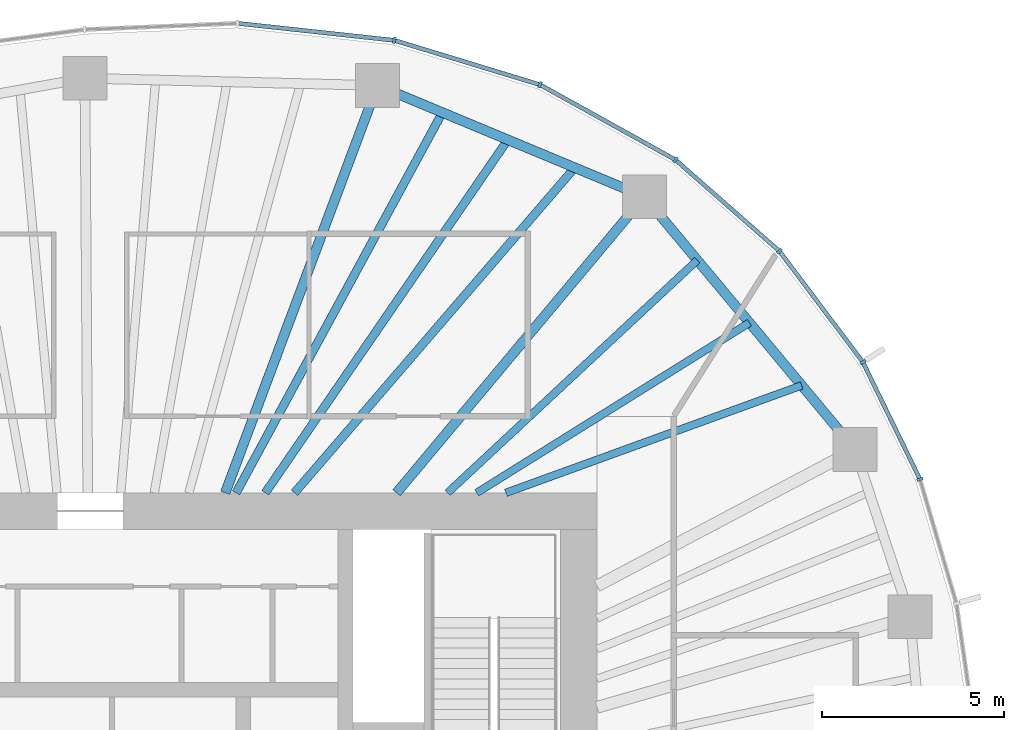
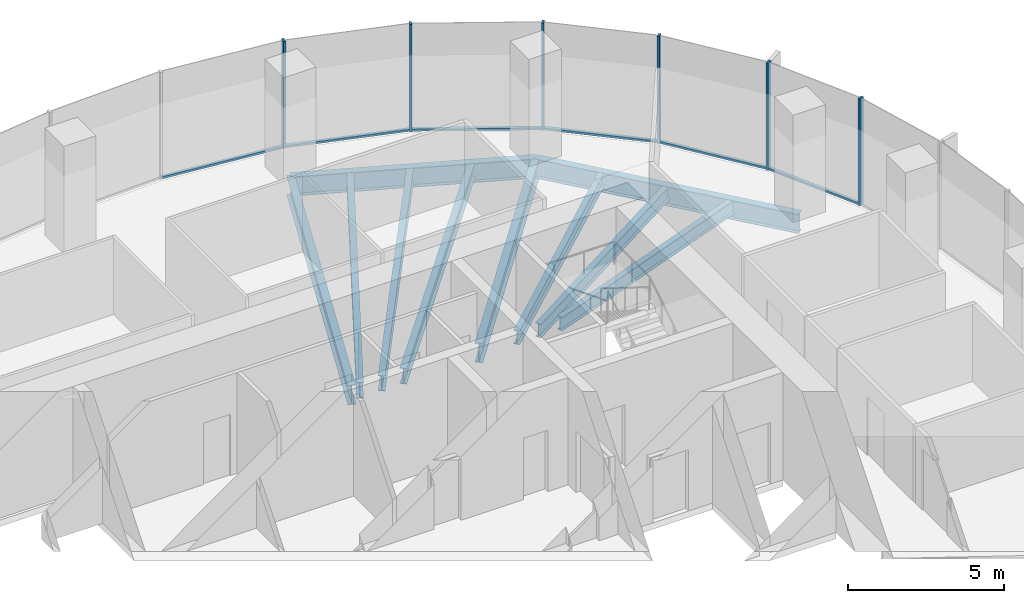
# One storey, part 6 of 11: 12 members, 10 beams, 4 elements without a shape of their own.
"""IFC4 building model written with IfcOpenShell, lengths in metres."""

from ifc_helpers import new_model, si_unit, direction, frame, origin, origin_2d, place, context, subcontext, project, spatial, rectangle, i_section, extrude, material, material_profile, profile_set, type_object, element, aggregate, save


model = new_model("IFC4")

# Units and contexts
model_context = context("Model", 3, precision=1e-05, world=origin(), true_north=direction((0.0, 1.0)))
body_context = subcontext(model_context, "Body", "Model", "MODEL_VIEW")
ifc_project = project(units=[si_unit("LENGTHUNIT", "METRE"), si_unit("AREAUNIT", "SQUARE_METRE"), si_unit("VOLUMEUNIT", "CUBIC_METRE"), si_unit("PLANEANGLEUNIT", "RADIAN"), si_unit("MASSUNIT", "GRAM", prefix="KILO")], contexts=[model_context])

# Site, building, storey
site_placement = place(None, origin())
site = spatial("IfcSite", under=ifc_project, at=site_placement, CompositionType="ELEMENT")
building_placement = place(site_placement, origin())
building = spatial("IfcBuilding", under=site, at=building_placement, Name="Ghaith Harvest Tower", CompositionType="ELEMENT")
storey_placement = place(building_placement, frame((0.0, 0.0, 275.39990234375)))
storey = spatial("IfcBuildingStorey", under=building, at=storey_placement, Name="L61", CompositionType="ELEMENT", Elevation=275.39990234375)

# Curtain wall, member
ifc_material_1 = material(Name="Black anodised aluminium and fritted glass", Category="aluminium")
curtain_wall_type = type_object("IfcCurtainWallType", Name="CW-T CURTAIN WALL", PredefinedType="NOTDEFINED", material=ifc_material_1)
curtain_wall_1_placement = place(storey_placement, origin())
curtain_wall_1 = element("IfcCurtainWall", 1, at=curtain_wall_1_placement, inside=storey, type_object=curtain_wall_type, Name="Curtain wall CW-T bay 02 L61", PredefinedType="NOTDEFINED")
ifc_material_2 = material(Name="Aluminium, black anodised", Category="aluminium")
ifc_material_profile_1 = material_profile(ifc_material_2, rectangle(XDim=0.080078125, YDim=0.179931640625, at=origin_2d()), Name="CW-T MULLION 80x180")
ifc_profile_set_1 = profile_set([ifc_material_profile_1], Name="Aluminium, black anodised")
member_type_1 = type_object("IfcMemberType", Name="CW-T MULLION 80x180", PredefinedType="MULLION", material=ifc_profile_set_1)
member_1_placement = place(storey_placement, frame((22.754150390625, 10.272216796875, 0.0), z_axis=(0.0, 0.0, 1.0), x_axis=(-0.361184273709, 0.932494461338, 0.0)))
member_1 = element("IfcMember", 2, at=member_1_placement, type_object=member_type_1, Name="CW-T mullion 2 bay 02 L61", PredefinedType="MULLION", context=body_context, shape_type="SweptSolid", body=[
    extrude(rectangle(XDim=0.080078125, YDim=0.179931640625, at=origin_2d()), origin(), (0.0, 0.0, 1.0), 4.2001953125),
])

# Curtain wall, members
curtain_wall_2_placement = place(storey_placement, origin())
curtain_wall_2 = element("IfcCurtainWall", 3, at=curtain_wall_2_placement, inside=storey, type_object=curtain_wall_type, Name="Curtain wall CW-T bay 03 L61", PredefinedType="NOTDEFINED")
member_2_placement = place(storey_placement, frame((21.18896484375, 13.48486328125, 0.0), z_axis=(0.0, 0.0, 1.0), x_axis=(-0.524482238522, 0.851421388899, 0.0)))
member_2 = element("IfcMember", 4, at=member_2_placement, type_object=member_type_1, Name="CW-T mullion 1 bay 03 L61", PredefinedType="MULLION", context=body_context, shape_type="SweptSolid", body=[
    extrude(rectangle(XDim=0.080078125, YDim=0.179931640625, at=origin_2d()), origin(), (0.0, 0.0, 1.0), 4.2001953125),
])
member_3_placement = place(storey_placement, frame((18.901123046875, 16.527099609375, 0.0), z_axis=(0.0, 0.0, 1.0), x_axis=(-0.679660897075, 0.733526458274, 0.0)))
member_3 = element("IfcMember", 5, at=member_3_placement, type_object=member_type_1, Name="CW-T mullion 2 bay 03 L61", PredefinedType="MULLION", context=body_context, shape_type="SweptSolid", body=[
    extrude(rectangle(XDim=0.080078125, YDim=0.179931640625, at=origin_2d()), origin(), (0.0, 0.0, 1.0), 4.2001953125),
])

curtain_wall_3_placement = place(storey_placement, origin())
curtain_wall_3 = element("IfcCurtainWall", 6, at=curtain_wall_3_placement, inside=storey, type_object=curtain_wall_type, Name="Curtain wall CW-T bay 04 L61", PredefinedType="NOTDEFINED")
member_4_placement = place(storey_placement, frame((16.04931640625, 19.031982421875, 0.0), z_axis=(0.0, 0.0, 1.0), x_axis=(-0.821112053873, 0.570767023385, 0.0)))
member_4 = element("IfcMember", 7, at=member_4_placement, type_object=member_type_1, Name="CW-T mullion 1 bay 04 L61", PredefinedType="MULLION", context=body_context, shape_type="SweptSolid", body=[
    extrude(rectangle(XDim=0.080078125, YDim=0.179931640625, at=origin_2d()), origin(), (0.0, 0.0, 1.0), 4.2001953125),
])
member_5_placement = place(storey_placement, frame((12.334228515625, 21.091796875, 0.0), z_axis=(0.0, 0.0, 1.0), x_axis=(-0.920319269246, 0.391168049123, 0.0)))
member_5 = element("IfcMember", 8, at=member_5_placement, type_object=member_type_1, Name="CW-T mullion 2 bay 04 L61", PredefinedType="MULLION", context=body_context, shape_type="SweptSolid", body=[
    extrude(rectangle(XDim=0.080078125, YDim=0.179931640625, at=origin_2d()), origin(), (0.0, 0.0, 1.0), 4.2001953125),
])

# Curtain wall, member
curtain_wall_4_placement = place(storey_placement, origin())
curtain_wall_4 = element("IfcCurtainWall", 9, at=curtain_wall_4_placement, inside=storey, type_object=curtain_wall_type, Name="Curtain wall CW-T bay 05 L61", PredefinedType="NOTDEFINED")
member_6_placement = place(storey_placement, frame((8.33984375, 22.308837890625, 0.0), z_axis=(0.0, 0.0, 1.0), x_axis=(-0.980000193436, 0.198996534809, 0.0)))
member_6 = element("IfcMember", 10, at=member_6_placement, type_object=member_type_1, Name="CW-T mullion 1 bay 05 L61", PredefinedType="MULLION", context=body_context, shape_type="SweptSolid", body=[
    extrude(rectangle(XDim=0.080078125, YDim=0.179931640625, at=origin_2d()), origin(), (0.0, 0.0, 1.0), 4.2001953125),
])

# Member
ifc_material_3 = material(Name="Aluminium, black anodised", Category="aluminium")
ifc_material_profile_2 = material_profile(ifc_material_3, rectangle(XDim=0.1201171875, YDim=0.080078125, at=origin_2d()), Name="CW-T TRANSOM 120x80")
ifc_profile_set_2 = profile_set([ifc_material_profile_2], Name="Aluminium, black anodised")
member_type_2 = type_object("IfcMemberType", Name="CW-T TRANSOM 120x80", PredefinedType="USERDEFINED", material=ifc_profile_set_2)
member_7_placement = place(storey_placement, frame((22.736572265625, 10.308349609375, 0.0400390625), z_axis=(-0.437965078712, 0.898991985408, 0.0), x_axis=(-0.898991985408, -0.437965078712, 0.0)))
member_7 = element("IfcMember", 11, at=member_7_placement, type_object=member_type_2, Name="CW-T transom 2 bay 02 L61", ObjectType="TRANSOM", PredefinedType="USERDEFINED", context=body_context, shape_type="SweptSolid", body=[
    extrude(rectangle(XDim=0.1201171875, YDim=0.080078125, at=origin_2d()), origin(), (0.0, 0.0, 1.0), 3.493408203125),
])

aggregate(curtain_wall_1, [member_1, member_7])

member_8_placement = place(storey_placement, frame((21.1650390625, 13.516845703125, 0.0400390625), z_axis=(-0.601079103045, 0.799189534392, 0.0), x_axis=(-0.799189534392, -0.601079103045, 0.0)))
member_8 = element("IfcMember", 12, at=member_8_placement, type_object=member_type_2, Name="CW-T transom 1 bay 03 L61", ObjectType="TRANSOM", PredefinedType="USERDEFINED", context=body_context, shape_type="SweptSolid", body=[
    extrude(rectangle(XDim=0.1201171875, YDim=0.080078125, at=origin_2d()), origin(), (0.0, 0.0, 1.0), 3.7265625),
])

member_9_placement = place(storey_placement, frame((18.87109375, 16.553466796875, 0.0400390625), z_axis=(-0.751325799984, 0.659931467865, 0.0), x_axis=(-0.659931467865, -0.751325799984, 0.0)))
member_9 = element("IfcMember", 13, at=member_9_placement, type_object=member_type_2, Name="CW-T transom 2 bay 03 L61", ObjectType="TRANSOM", PredefinedType="USERDEFINED", context=body_context, shape_type="SweptSolid", body=[
    extrude(rectangle(XDim=0.1201171875, YDim=0.080078125, at=origin_2d()), origin(), (0.0, 0.0, 1.0), 3.7158203125),
])

aggregate(curtain_wall_2, [member_2, member_8, member_3, member_9])

member_10_placement = place(storey_placement, frame((16.01416015625, 19.051513671875, 0.0400390625), z_axis=(-0.874552130553, 0.484931511603, 0.0), x_axis=(-0.484931511603, -0.874552130553, 0.0)))
member_10 = element("IfcMember", 14, at=member_10_placement, type_object=member_type_2, Name="CW-T transom 1 bay 04 L61", ObjectType="TRANSOM", PredefinedType="USERDEFINED", context=body_context, shape_type="SweptSolid", body=[
    extrude(rectangle(XDim=0.1201171875, YDim=0.080078125, at=origin_2d()), origin(), (0.0, 0.0, 1.0), 4.16748046875),
])

member_11_placement = place(storey_placement, frame((12.296142578125, 21.103515625, 0.0400390625), z_axis=(-0.956593713342, 0.291424891858, 0.0), x_axis=(-0.291424891858, -0.956593713342, 0.0)))
member_11 = element("IfcMember", 15, at=member_11_placement, type_object=member_type_2, Name="CW-T transom 2 bay 04 L61", ObjectType="TRANSOM", PredefinedType="USERDEFINED", context=body_context, shape_type="SweptSolid", body=[
    extrude(rectangle(XDim=0.1201171875, YDim=0.080078125, at=origin_2d()), origin(), (0.0, 0.0, 1.0), 4.095703125),
])

aggregate(curtain_wall_3, [member_4, member_10, member_5, member_11])

member_12_placement = place(storey_placement, frame((8.300048828125, 22.313232421875, 0.0400390625), z_axis=(-0.994144463069, 0.108059180768, 0.0), x_axis=(-0.108059180768, -0.994144463069, 0.0)))
member_12 = element("IfcMember", 16, at=member_12_placement, type_object=member_type_2, Name="CW-T transom 1 bay 05 L61", ObjectType="TRANSOM", PredefinedType="USERDEFINED", context=body_context, shape_type="SweptSolid", body=[
    extrude(rectangle(XDim=0.1201171875, YDim=0.080078125, at=origin_2d()), origin(), (0.0, 0.0, 1.0), 4.24755859375),
])

aggregate(curtain_wall_4, [member_6, member_12])

# Beams
ifc_material_4 = material(Name="Steel ASTM A992 Grade 50", Category="steel")
ifc_material_profile_3 = material_profile(ifc_material_4, i_section(OverallWidth=0.26611328125, OverallDepth=0.758056640625, WebThickness=0.013916015625, FlangeThickness=0.019287109375, at=origin_2d()), Name="W760X161")
ifc_profile_set_3 = profile_set([ifc_material_profile_3], Name="Steel ASTM A992 Grade 50")
beam_type_1 = type_object("IfcBeamType", Name="E760-161 W760X161", PredefinedType="SPANDREL", material=ifc_profile_set_3)
beam_1_placement = place(storey_placement, frame((20.97705078125, 11.087890625, -0.548828125), z_axis=(-0.640173759088, 0.76823014662, 0.0), x_axis=(-0.76823014662, -0.640173759088, 0.0)))
element("IfcBeam", 17, at=beam_1_placement, inside=storey, type_object=beam_type_1, Name="Edge beam E03 L61", PredefinedType="SPANDREL", context=body_context, shape_type="SweptSolid", body=[
    extrude(i_section(OverallWidth=0.26611328125, OverallDepth=0.758056640625, WebThickness=0.013916015625, FlangeThickness=0.019287109375, at=origin_2d()), origin(), (0.0, 0.0, 1.0), 9.02734375),
])
beam_2_placement = place(storey_placement, frame((15.197998046875, 18.02294921875, -0.548828125), z_axis=(-0.923119729219, 0.384512633766, 0.0), x_axis=(-0.384512633766, -0.923119729219, 0.0)))
element("IfcBeam", 18, at=beam_2_placement, inside=storey, type_object=beam_type_1, Name="Edge beam E04 L61", PredefinedType="SPANDREL", context=body_context, shape_type="SweptSolid", body=[
    extrude(i_section(OverallWidth=0.26611328125, OverallDepth=0.758056640625, WebThickness=0.013916015625, FlangeThickness=0.019287109375, at=origin_2d()), origin(), (0.0, 0.0, 1.0), 7.9296875),
])
ifc_material_5 = material(Name="Steel ASTM A992 Grade 50", Category="steel")
ifc_material_profile_4 = material_profile(ifc_material_5, i_section(OverallWidth=0.26611328125, OverallDepth=0.758056640625, WebThickness=0.013916015625, FlangeThickness=0.019287109375, at=origin_2d()), Name="W760X161")
ifc_profile_set_4 = profile_set([ifc_material_profile_4], Name="Steel ASTM A992 Grade 50")
beam_type_2 = type_object("IfcBeamType", Name="G760-161 W760X161", PredefinedType="BEAM", material=ifc_profile_set_4)
beam_3_placement = place(storey_placement, frame((8.39990234375, 9.89990234375, -0.548828125), z_axis=(0.641792628883, 0.766878231215, 0.0), x_axis=(-0.766878231215, 0.641792628883, 0.0)))
element("IfcBeam", 19, at=beam_3_placement, inside=storey, type_object=beam_type_2, Name="Radial girder G04 L61", PredefinedType="BEAM", context=body_context, shape_type="SweptSolid", body=[
    extrude(i_section(OverallWidth=0.26611328125, OverallDepth=0.758056640625, WebThickness=0.013916015625, FlangeThickness=0.019287109375, at=origin_2d()), origin(), (0.0, 0.0, 1.0), 10.59228515625),
])
beam_4_placement = place(storey_placement, frame((3.700927734375, 9.89990234375, -0.548828125), z_axis=(0.350201332531, 0.936674450753, 0.0), x_axis=(-0.936674450753, 0.350201332531, 0.0)))
element("IfcBeam", 20, at=beam_4_placement, inside=storey, type_object=beam_type_2, Name="Radial girder G05 L61", PredefinedType="BEAM", context=body_context, shape_type="SweptSolid", body=[
    extrude(i_section(OverallWidth=0.26611328125, OverallDepth=0.758056640625, WebThickness=0.013916015625, FlangeThickness=0.019287109375, at=origin_2d()), origin(), (0.0, 0.0, 1.0), 11.927490234375),
])
ifc_material_6 = material(Name="Steel ASTM A992 Grade 50", Category="steel")
ifc_material_profile_5 = material_profile(ifc_material_6, i_section(OverallWidth=0.2109375, OverallDepth=0.5390625, WebThickness=0.01171875, FlangeThickness=0.018798828125, at=origin_2d()), Name="W530X109")
ifc_profile_set_5 = profile_set([ifc_material_profile_5], Name="Steel ASTM A992 Grade 50")
beam_type_3 = type_object("IfcBeamType", Name="J530-109 W530X109", PredefinedType="JOIST", material=ifc_profile_set_5)
beam_5_placement = place(storey_placement, frame((11.39990234375, 9.89990234375, -0.439453125), z_axis=(0.939925501564, 0.341379629605, 0.0), x_axis=(-0.341379629605, 0.939925501564, 0.0)))
element("IfcBeam", 21, at=beam_5_placement, inside=storey, type_object=beam_type_3, Name="Joist J03.1 L61", PredefinedType="JOIST", context=body_context, shape_type="SweptSolid", body=[
    extrude(i_section(OverallWidth=0.2109375, OverallDepth=0.5390625, WebThickness=0.01171875, FlangeThickness=0.018798828125, at=origin_2d()), origin(), (0.0, 0.0, 1.0), 8.630615234375),
])
beam_6_placement = place(storey_placement, frame((10.60009765625, 9.89990234375, -0.439453125), z_axis=(0.84837619421, 0.52939383553, 0.0), x_axis=(-0.52939383553, 0.84837619421, 0.0)))
element("IfcBeam", 22, at=beam_6_placement, inside=storey, type_object=beam_type_3, Name="Joist J03.2 L61", PredefinedType="JOIST", context=body_context, shape_type="SweptSolid", body=[
    extrude(i_section(OverallWidth=0.2109375, OverallDepth=0.5390625, WebThickness=0.01171875, FlangeThickness=0.018798828125, at=origin_2d()), origin(), (0.0, 0.0, 1.0), 8.814697265625),
])
beam_7_placement = place(storey_placement, frame((9.800048828125, 9.89990234375, -0.439453125), z_axis=(0.73164904944, 0.681681500742, 0.0), x_axis=(-0.681681500742, 0.73164904944, 0.0)))
element("IfcBeam", 23, at=beam_7_placement, inside=storey, type_object=beam_type_3, Name="Joist J03.3 L61", PredefinedType="JOIST", context=body_context, shape_type="SweptSolid", body=[
    extrude(i_section(OverallWidth=0.2109375, OverallDepth=0.5390625, WebThickness=0.01171875, FlangeThickness=0.018798828125, at=origin_2d()), origin(), (0.0, 0.0, 1.0), 9.361572265625),
])
ifc_material_7 = material(Name="Steel ASTM A992 Grade 50", Category="steel")
ifc_material_profile_6 = material_profile(ifc_material_7, i_section(OverallWidth=0.22998046875, OverallDepth=0.616943359375, WebThickness=0.01318359375, FlangeThickness=0.022216796875, at=origin_2d()), Name="W610X140")
ifc_profile_set_6 = profile_set([ifc_material_profile_6], Name="Steel ASTM A992 Grade 50")
beam_type_4 = type_object("IfcBeamType", Name="J610-140 W610X140", PredefinedType="JOIST", material=ifc_profile_set_6)
beam_8_placement = place(storey_placement, frame((5.60009765625, 9.89990234375, -0.478515625), z_axis=(0.652992938501, 0.757363995888, 0.0), x_axis=(-0.757363995888, 0.652992938501, 0.0)))
element("IfcBeam", 24, at=beam_8_placement, inside=storey, type_object=beam_type_4, Name="Joist J04.1 L61", PredefinedType="JOIST", context=body_context, shape_type="SweptSolid", body=[
    extrude(i_section(OverallWidth=0.22998046875, OverallDepth=0.616943359375, WebThickness=0.01318359375, FlangeThickness=0.022216796875, at=origin_2d()), origin(), (0.0, 0.0, 1.0), 11.775390625),
])
beam_9_placement = place(storey_placement, frame((4.800048828125, 9.89990234375, -0.478515625), z_axis=(0.566228035119, 0.824248634967, 0.0), x_axis=(-0.824248634967, 0.566228035119, 0.0)))
element("IfcBeam", 25, at=beam_9_placement, inside=storey, type_object=beam_type_4, Name="Joist J04.2 L61", PredefinedType="JOIST", context=body_context, shape_type="SweptSolid", body=[
    extrude(i_section(OverallWidth=0.22998046875, OverallDepth=0.616943359375, WebThickness=0.01318359375, FlangeThickness=0.022216796875, at=origin_2d()), origin(), (0.0, 0.0, 1.0), 11.748046875),
])
beam_10_placement = place(storey_placement, frame((4.0, 9.89990234375, -0.478515625), z_axis=(0.476764926531, 0.879030832696, 0.0), x_axis=(-0.879030832696, 0.476764926531, 0.0)))
element("IfcBeam", 26, at=beam_10_placement, inside=storey, type_object=beam_type_4, Name="Joist J04.3 L61", PredefinedType="JOIST", context=body_context, shape_type="SweptSolid", body=[
    extrude(i_section(OverallWidth=0.22998046875, OverallDepth=0.616943359375, WebThickness=0.01318359375, FlangeThickness=0.022216796875, at=origin_2d()), origin(), (0.0, 0.0, 1.0), 11.866455078125),
])

save(model, "model.ifc")
